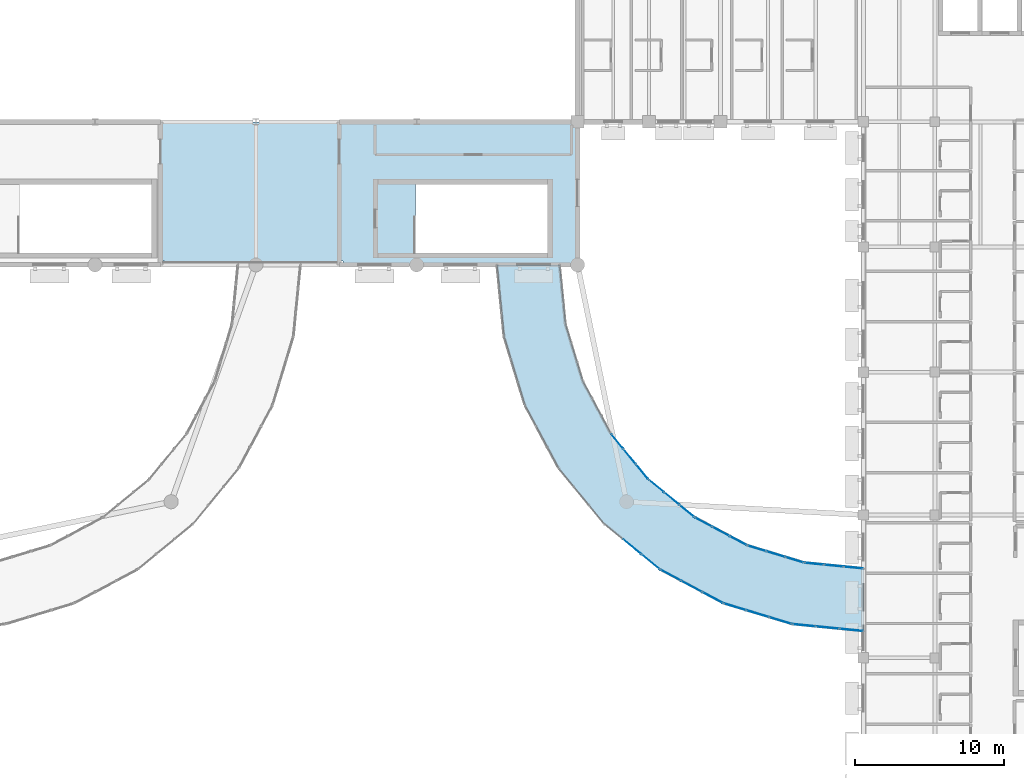
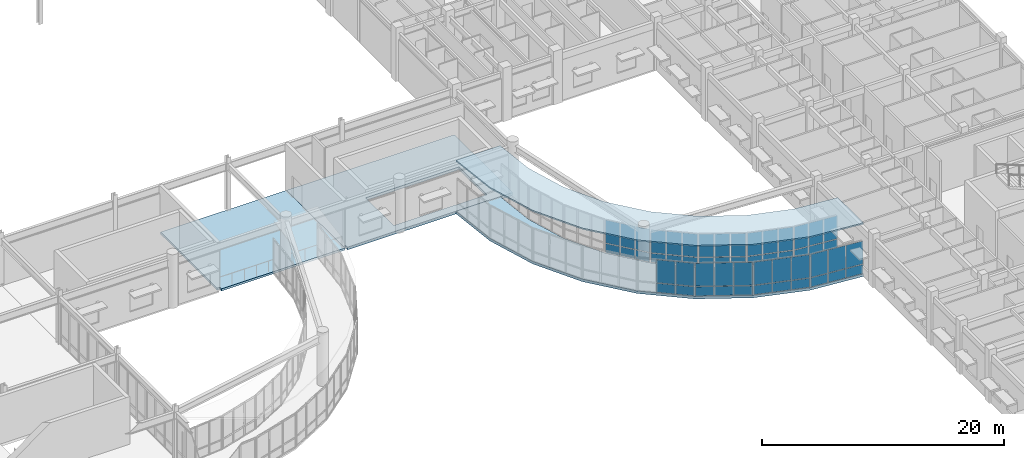
# One storey, part 39 of 68: 52 plates, 4 slabs, 10 elements without a shape of their own.
"""IFC4 building model written with IfcOpenShell, lengths in metres."""

from ifc_helpers import new_model, si_unit, direction, frame, origin, origin_2d, place, context, subcontext, project, spatial, polyline, rectangle, outline, extrude, material, layer, layer_set, type_object, element, aggregate, save


model = new_model("IFC4")

# Units and contexts
model_context = context("Model", 3, precision=1e-05, world=origin(), true_north=direction((0.0, 1.0)))
body_context = subcontext(model_context, "Body", "Model", "MODEL_VIEW")
ifc_project = project(units=[si_unit("LENGTHUNIT", "METRE"), si_unit("AREAUNIT", "SQUARE_METRE"), si_unit("VOLUMEUNIT", "CUBIC_METRE"), si_unit("PLANEANGLEUNIT", "RADIAN"), si_unit("MASSUNIT", "GRAM", prefix="KILO")], contexts=[model_context])

# Site, building, storey
site_placement = place(None, origin())
site = spatial("IfcSite", under=ifc_project, at=site_placement, CompositionType="ELEMENT")
building_placement = place(site_placement, origin())
building = spatial("IfcBuilding", under=site, at=building_placement, Name="Veldera Park Congress Hotel", CompositionType="ELEMENT")
storey_placement = place(building_placement, frame((0.0, 0.0, 10.800048828125)))
storey = spatial("IfcBuildingStorey", under=building, at=storey_placement, Name="L02", CompositionType="ELEMENT", Elevation=10.800048828125)

# Curtain wall, plates
ifc_material_1 = material(Name="Low-E Triple Insulating Glass Unit (SHGC 0.22)", Category="glass")
curtain_wall_type = type_object("IfcCurtainWallType", Name="CW-BRG", PredefinedType="NOTDEFINED", material=ifc_material_1)
curtain_wall_1_placement = place(storey_placement, origin())
curtain_wall_1 = element("IfcCurtainWall", 1, at=curtain_wall_1_placement, inside=storey, type_object=curtain_wall_type, Name="L02 Curtain Wall CW3-BRGE-L02-A04", PredefinedType="NOTDEFINED")
ifc_layer_1 = layer(ifc_material_1, 0.028076171875)
ifc_layer_set_1 = layer_set([ifc_layer_1], Name="Low-E Triple Insulating Glass Unit (SHGC 0.22)")
plate_type = type_object("IfcPlateType", Name="CWP-IGU28", PredefinedType="CURTAIN_PANEL", material=ifc_layer_set_1)
plate_1_placement = place(storey_placement, frame((45.26904296875, -1.5244140625, 0.06005859375), z_axis=(0.0, 0.0, 1.0), x_axis=(0.773002968666, -0.634402404183, 0.0)))
plate_1 = element("IfcPlate", 2, at=plate_1_placement, type_object=plate_type, Name="CW-BRG panel 2.1", PredefinedType="CURTAIN_PANEL", context=body_context, shape_type="SweptSolid", body=[
    extrude(rectangle(XDim=1.547607421875, YDim=0.028076171875, at=origin_2d()), origin(), (0.0, 0.0, 1.0), 0.909912109375),
])
plate_2_placement = place(storey_placement, frame((45.26904296875, -1.5244140625, 1.030029296875), z_axis=(0.0, 0.0, 1.0), x_axis=(0.773002968666, -0.634402404183, 0.0)))
plate_2 = element("IfcPlate", 3, at=plate_2_placement, type_object=plate_type, Name="CW-BRG panel 2.2", PredefinedType="CURTAIN_PANEL", context=body_context, shape_type="SweptSolid", body=[
    extrude(rectangle(XDim=1.547607421875, YDim=0.028076171875, at=origin_2d()), origin(), (0.0, 0.0, 1.0), 2.31005859375),
])
plate_3_placement = place(storey_placement, frame((46.5, -2.53466796875, 0.06005859375), z_axis=(0.0, 0.0, 1.0), x_axis=(0.773002968666, -0.634402404183, 0.0)))
plate_3 = element("IfcPlate", 4, at=plate_3_placement, type_object=plate_type, Name="CW-BRG panel 3.1", PredefinedType="CURTAIN_PANEL", context=body_context, shape_type="SweptSolid", body=[
    extrude(rectangle(XDim=1.517578125, YDim=0.028076171875, at=origin_2d()), origin(), (0.0, 0.0, 1.0), 0.909912109375),
])
plate_4_placement = place(storey_placement, frame((46.5, -2.53466796875, 1.030029296875), z_axis=(0.0, 0.0, 1.0), x_axis=(0.773002968666, -0.634402404183, 0.0)))
plate_4 = element("IfcPlate", 5, at=plate_4_placement, type_object=plate_type, Name="CW-BRG panel 3.2", PredefinedType="CURTAIN_PANEL", context=body_context, shape_type="SweptSolid", body=[
    extrude(rectangle(XDim=1.517578125, YDim=0.028076171875, at=origin_2d()), origin(), (0.0, 0.0, 1.0), 2.31005859375),
])
aggregate(curtain_wall_1, [plate_1, plate_2, plate_3, plate_4])

curtain_wall_2_placement = place(storey_placement, origin())
curtain_wall_2 = element("IfcCurtainWall", 6, at=curtain_wall_2_placement, inside=storey, type_object=curtain_wall_type, Name="L02 Curtain Wall CW3-BRGE-L02-A05", PredefinedType="NOTDEFINED")
plate_5_placement = place(storey_placement, frame((47.85498046875, -3.440185546875, 0.06005859375), z_axis=(0.0, 0.0, 1.0), x_axis=(0.881927804203, -0.471384501415, 0.0)))
plate_5 = element("IfcPlate", 7, at=plate_5_placement, type_object=plate_type, Name="CW-BRG panel 1.1", PredefinedType="CURTAIN_PANEL", context=body_context, shape_type="SweptSolid", body=[
    extrude(rectangle(XDim=1.517578125, YDim=0.028076171875, at=origin_2d()), origin(), (0.0, 0.0, 1.0), 0.909912109375),
])
plate_6_placement = place(storey_placement, frame((47.85498046875, -3.440185546875, 1.030029296875), z_axis=(0.0, 0.0, 1.0), x_axis=(0.881927804203, -0.471384501415, 0.0)))
plate_6 = element("IfcPlate", 8, at=plate_6_placement, type_object=plate_type, Name="CW-BRG panel 1.2", PredefinedType="CURTAIN_PANEL", context=body_context, shape_type="SweptSolid", body=[
    extrude(rectangle(XDim=1.517578125, YDim=0.028076171875, at=origin_2d()), origin(), (0.0, 0.0, 1.0), 2.31005859375),
])
plate_7_placement = place(storey_placement, frame((49.259521484375, -4.19091796875, 0.06005859375), z_axis=(0.0, 0.0, 1.0), x_axis=(0.881927804203, -0.471384501415, 0.0)))
plate_7 = element("IfcPlate", 9, at=plate_7_placement, type_object=plate_type, Name="CW-BRG panel 2.1", PredefinedType="CURTAIN_PANEL", context=body_context, shape_type="SweptSolid", body=[
    extrude(rectangle(XDim=1.54736328125, YDim=0.028076171875, at=origin_2d()), origin(), (0.0, 0.0, 1.0), 0.909912109375),
])
plate_8_placement = place(storey_placement, frame((49.259521484375, -4.19091796875, 1.030029296875), z_axis=(0.0, 0.0, 1.0), x_axis=(0.881927804203, -0.471384501415, 0.0)))
plate_8 = element("IfcPlate", 10, at=plate_8_placement, type_object=plate_type, Name="CW-BRG panel 2.2", PredefinedType="CURTAIN_PANEL", context=body_context, shape_type="SweptSolid", body=[
    extrude(rectangle(XDim=1.54736328125, YDim=0.028076171875, at=origin_2d()), origin(), (0.0, 0.0, 1.0), 2.31005859375),
])
plate_9_placement = place(storey_placement, frame((50.663818359375, -4.94140625, 0.06005859375), z_axis=(0.0, 0.0, 1.0), x_axis=(0.881927804203, -0.471384501415, 0.0)))
plate_9 = element("IfcPlate", 11, at=plate_9_placement, type_object=plate_type, Name="CW-BRG panel 3.1", PredefinedType="CURTAIN_PANEL", context=body_context, shape_type="SweptSolid", body=[
    extrude(rectangle(XDim=1.517578125, YDim=0.028076171875, at=origin_2d()), origin(), (0.0, 0.0, 1.0), 0.909912109375),
])
plate_10_placement = place(storey_placement, frame((50.663818359375, -4.94140625, 1.030029296875), z_axis=(0.0, 0.0, 1.0), x_axis=(0.881927804203, -0.471384501415, 0.0)))
plate_10 = element("IfcPlate", 12, at=plate_10_placement, type_object=plate_type, Name="CW-BRG panel 3.2", PredefinedType="CURTAIN_PANEL", context=body_context, shape_type="SweptSolid", body=[
    extrude(rectangle(XDim=1.517578125, YDim=0.028076171875, at=origin_2d()), origin(), (0.0, 0.0, 1.0), 2.31005859375),
])
aggregate(curtain_wall_2, [plate_5, plate_6, plate_7, plate_8, plate_9, plate_10])

curtain_wall_3_placement = place(storey_placement, origin())
curtain_wall_3 = element("IfcCurtainWall", 13, at=curtain_wall_3_placement, inside=storey, type_object=curtain_wall_type, Name="L02 Curtain Wall CW3-BRGE-L02-A06", PredefinedType="NOTDEFINED")
plate_11_placement = place(storey_placement, frame((52.16943359375, -5.565185546875, 0.06005859375), z_axis=(0.0, 0.0, 1.0), x_axis=(0.956939429957, -0.290287663177, 0.0)))
plate_11 = element("IfcPlate", 14, at=plate_11_placement, type_object=plate_type, Name="CW-BRG panel 1.1", PredefinedType="CURTAIN_PANEL", context=body_context, shape_type="SweptSolid", body=[
    extrude(rectangle(XDim=1.517578125, YDim=0.028076171875, at=origin_2d()), origin(), (0.0, 0.0, 1.0), 0.909912109375),
])
plate_12_placement = place(storey_placement, frame((52.16943359375, -5.565185546875, 1.030029296875), z_axis=(0.0, 0.0, 1.0), x_axis=(0.956939429957, -0.290287663177, 0.0)))
plate_12 = element("IfcPlate", 15, at=plate_12_placement, type_object=plate_type, Name="CW-BRG panel 1.2", PredefinedType="CURTAIN_PANEL", context=body_context, shape_type="SweptSolid", body=[
    extrude(rectangle(XDim=1.517578125, YDim=0.028076171875, at=origin_2d()), origin(), (0.0, 0.0, 1.0), 2.31005859375),
])
plate_13_placement = place(storey_placement, frame((53.693359375, -6.02734375, 0.06005859375), z_axis=(0.0, 0.0, 1.0), x_axis=(0.956939429957, -0.290287663177, 0.0)))
plate_13 = element("IfcPlate", 16, at=plate_13_placement, type_object=plate_type, Name="CW-BRG panel 2.1", PredefinedType="CURTAIN_PANEL", context=body_context, shape_type="SweptSolid", body=[
    extrude(rectangle(XDim=1.547607421875, YDim=0.028076171875, at=origin_2d()), origin(), (0.0, 0.0, 1.0), 0.909912109375),
])
plate_14_placement = place(storey_placement, frame((53.693359375, -6.02734375, 1.030029296875), z_axis=(0.0, 0.0, 1.0), x_axis=(0.956939429957, -0.290287663177, 0.0)))
plate_14 = element("IfcPlate", 17, at=plate_14_placement, type_object=plate_type, Name="CW-BRG panel 2.2", PredefinedType="CURTAIN_PANEL", context=body_context, shape_type="SweptSolid", body=[
    extrude(rectangle(XDim=1.547607421875, YDim=0.028076171875, at=origin_2d()), origin(), (0.0, 0.0, 1.0), 2.31005859375),
])
plate_15_placement = place(storey_placement, frame((55.21728515625, -6.48974609375, 0.06005859375), z_axis=(0.0, 0.0, 1.0), x_axis=(0.956939429957, -0.290287663177, 0.0)))
plate_15 = element("IfcPlate", 18, at=plate_15_placement, type_object=plate_type, Name="CW-BRG panel 3.1", PredefinedType="CURTAIN_PANEL", context=body_context, shape_type="SweptSolid", body=[
    extrude(rectangle(XDim=1.517578125, YDim=0.028076171875, at=origin_2d()), origin(), (0.0, 0.0, 1.0), 0.909912109375),
])
plate_16_placement = place(storey_placement, frame((55.21728515625, -6.48974609375, 1.030029296875), z_axis=(0.0, 0.0, 1.0), x_axis=(0.956939429957, -0.290287663177, 0.0)))
plate_16 = element("IfcPlate", 19, at=plate_16_placement, type_object=plate_type, Name="CW-BRG panel 3.2", PredefinedType="CURTAIN_PANEL", context=body_context, shape_type="SweptSolid", body=[
    extrude(rectangle(XDim=1.517578125, YDim=0.028076171875, at=origin_2d()), origin(), (0.0, 0.0, 1.0), 2.31005859375),
])
aggregate(curtain_wall_3, [plate_11, plate_12, plate_13, plate_14, plate_15, plate_16])

curtain_wall_4_placement = place(storey_placement, origin())
curtain_wall_4 = element("IfcCurtainWall", 20, at=curtain_wall_4_placement, inside=storey, type_object=curtain_wall_type, Name="L02 Curtain Wall CW3-BRGE-L02-A07", PredefinedType="NOTDEFINED")
plate_17_placement = place(storey_placement, frame((56.815673828125, -6.8076171875, 0.06005859375), z_axis=(0.0, 0.0, 1.0), x_axis=(0.995184320963, -0.098021259481, 0.0)))
plate_17 = element("IfcPlate", 21, at=plate_17_placement, type_object=plate_type, Name="CW-BRG panel 1.1", PredefinedType="CURTAIN_PANEL", context=body_context, shape_type="SweptSolid", body=[
    extrude(rectangle(XDim=1.517578125, YDim=0.028076171875, at=origin_2d()), origin(), (0.0, 0.0, 1.0), 0.909912109375),
])
plate_18_placement = place(storey_placement, frame((56.815673828125, -6.8076171875, 1.030029296875), z_axis=(0.0, 0.0, 1.0), x_axis=(0.995184320963, -0.098021259481, 0.0)))
plate_18 = element("IfcPlate", 22, at=plate_18_placement, type_object=plate_type, Name="CW-BRG panel 1.2", PredefinedType="CURTAIN_PANEL", context=body_context, shape_type="SweptSolid", body=[
    extrude(rectangle(XDim=1.517578125, YDim=0.028076171875, at=origin_2d()), origin(), (0.0, 0.0, 1.0), 2.31005859375),
])
plate_19_placement = place(storey_placement, frame((58.400390625, -6.963623046875, 0.06005859375), z_axis=(0.0, 0.0, 1.0), x_axis=(0.995184320963, -0.098021259481, 0.0)))
plate_19 = element("IfcPlate", 23, at=plate_19_placement, type_object=plate_type, Name="CW-BRG panel 2.1", PredefinedType="CURTAIN_PANEL", context=body_context, shape_type="SweptSolid", body=[
    extrude(rectangle(XDim=1.54736328125, YDim=0.028076171875, at=origin_2d()), origin(), (0.0, 0.0, 1.0), 0.909912109375),
])
plate_20_placement = place(storey_placement, frame((58.400390625, -6.963623046875, 1.030029296875), z_axis=(0.0, 0.0, 1.0), x_axis=(0.995184320963, -0.098021259481, 0.0)))
plate_20 = element("IfcPlate", 24, at=plate_20_placement, type_object=plate_type, Name="CW-BRG panel 2.2", PredefinedType="CURTAIN_PANEL", context=body_context, shape_type="SweptSolid", body=[
    extrude(rectangle(XDim=1.54736328125, YDim=0.028076171875, at=origin_2d()), origin(), (0.0, 0.0, 1.0), 2.31005859375),
])
plate_21_placement = place(storey_placement, frame((59.985107421875, -7.11962890625, 0.06005859375), z_axis=(0.0, 0.0, 1.0), x_axis=(0.995184320963, -0.098021259481, 0.0)))
plate_21 = element("IfcPlate", 25, at=plate_21_placement, type_object=plate_type, Name="CW-BRG panel 3.1", PredefinedType="CURTAIN_PANEL", context=body_context, shape_type="SweptSolid", body=[
    extrude(rectangle(XDim=1.517578125, YDim=0.028076171875, at=origin_2d()), origin(), (0.0, 0.0, 1.0), 0.909912109375),
])
plate_22_placement = place(storey_placement, frame((59.985107421875, -7.11962890625, 1.030029296875), z_axis=(0.0, 0.0, 1.0), x_axis=(0.995184320963, -0.098021259481, 0.0)))
plate_22 = element("IfcPlate", 26, at=plate_22_placement, type_object=plate_type, Name="CW-BRG panel 3.2", PredefinedType="CURTAIN_PANEL", context=body_context, shape_type="SweptSolid", body=[
    extrude(rectangle(XDim=1.517578125, YDim=0.028076171875, at=origin_2d()), origin(), (0.0, 0.0, 1.0), 2.31005859375),
])
aggregate(curtain_wall_4, [plate_17, plate_18, plate_19, plate_20, plate_21, plate_22])

curtain_wall_5_placement = place(storey_placement, origin())
curtain_wall_5 = element("IfcCurtainWall", 27, at=curtain_wall_5_placement, inside=storey, type_object=curtain_wall_type, Name="L02 Curtain Wall CW3-BRGE-L02-B09", PredefinedType="NOTDEFINED")
plate_23_placement = place(storey_placement, frame((60.121826171875, -2.93310546875, 0.06005859375), z_axis=(0.0, 0.0, 1.0), x_axis=(-0.99518414337, 0.098023062513, 0.0)))
plate_23 = element("IfcPlate", 28, at=plate_23_placement, type_object=plate_type, Name="CW-BRG panel 1.1", PredefinedType="CURTAIN_PANEL", context=body_context, shape_type="SweptSolid", body=[
    extrude(rectangle(XDim=1.242919921875, YDim=0.028076171875, at=origin_2d()), origin(), (0.0, 0.0, 1.0), 0.909912109375),
])
plate_24_placement = place(storey_placement, frame((60.121826171875, -2.93310546875, 1.030029296875), z_axis=(0.0, 0.0, 1.0), x_axis=(-0.99518414337, 0.098023062513, 0.0)))
plate_24 = element("IfcPlate", 29, at=plate_24_placement, type_object=plate_type, Name="CW-BRG panel 1.2", PredefinedType="CURTAIN_PANEL", context=body_context, shape_type="SweptSolid", body=[
    extrude(rectangle(XDim=1.242919921875, YDim=0.028076171875, at=origin_2d()), origin(), (0.0, 0.0, 1.0), 2.31005859375),
])
plate_25_placement = place(storey_placement, frame((58.81005859375, -2.803955078125, 0.06005859375), z_axis=(0.0, 0.0, 1.0), x_axis=(-0.99518414337, 0.098023062513, 0.0)))
plate_25 = element("IfcPlate", 30, at=plate_25_placement, type_object=plate_type, Name="CW-BRG panel 2.1", PredefinedType="CURTAIN_PANEL", context=body_context, shape_type="SweptSolid", body=[
    extrude(rectangle(XDim=1.27294921875, YDim=0.028076171875, at=origin_2d()), origin(), (0.0, 0.0, 1.0), 0.909912109375),
])
plate_26_placement = place(storey_placement, frame((58.81005859375, -2.803955078125, 1.030029296875), z_axis=(0.0, 0.0, 1.0), x_axis=(-0.99518414337, 0.098023062513, 0.0)))
plate_26 = element("IfcPlate", 31, at=plate_26_placement, type_object=plate_type, Name="CW-BRG panel 2.2", PredefinedType="CURTAIN_PANEL", context=body_context, shape_type="SweptSolid", body=[
    extrude(rectangle(XDim=1.27294921875, YDim=0.028076171875, at=origin_2d()), origin(), (0.0, 0.0, 1.0), 2.31005859375),
])
plate_27_placement = place(storey_placement, frame((57.49853515625, -2.6748046875, 0.06005859375), z_axis=(0.0, 0.0, 1.0), x_axis=(-0.99518414337, 0.098023062513, 0.0)))
plate_27 = element("IfcPlate", 32, at=plate_27_placement, type_object=plate_type, Name="CW-BRG panel 3.1", PredefinedType="CURTAIN_PANEL", context=body_context, shape_type="SweptSolid", body=[
    extrude(rectangle(XDim=1.242919921875, YDim=0.028076171875, at=origin_2d()), origin(), (0.0, 0.0, 1.0), 0.909912109375),
])
plate_28_placement = place(storey_placement, frame((57.49853515625, -2.6748046875, 1.030029296875), z_axis=(0.0, 0.0, 1.0), x_axis=(-0.99518414337, 0.098023062513, 0.0)))
plate_28 = element("IfcPlate", 33, at=plate_28_placement, type_object=plate_type, Name="CW-BRG panel 3.2", PredefinedType="CURTAIN_PANEL", context=body_context, shape_type="SweptSolid", body=[
    extrude(rectangle(XDim=1.242919921875, YDim=0.028076171875, at=origin_2d()), origin(), (0.0, 0.0, 1.0), 2.31005859375),
])
aggregate(curtain_wall_5, [plate_23, plate_24, plate_25, plate_26, plate_27, plate_28])

curtain_wall_6_placement = place(storey_placement, origin())
curtain_wall_6 = element("IfcCurtainWall", 34, at=curtain_wall_6_placement, inside=storey, type_object=curtain_wall_type, Name="L02 Curtain Wall CW3-BRGE-L02-B10", PredefinedType="NOTDEFINED")
plate_29_placement = place(storey_placement, frame((56.16796875, -2.41015625, 0.06005859375), z_axis=(0.0, 0.0, 1.0), x_axis=(-0.956938767513, 0.290289846929, 0.0)))
plate_29 = element("IfcPlate", 35, at=plate_29_placement, type_object=plate_type, Name="CW-BRG panel 1.1", PredefinedType="CURTAIN_PANEL", context=body_context, shape_type="SweptSolid", body=[
    extrude(rectangle(XDim=1.242919921875, YDim=0.028076171875, at=origin_2d()), origin(), (0.0, 0.0, 1.0), 0.909912109375),
])
plate_30_placement = place(storey_placement, frame((56.16796875, -2.41015625, 1.030029296875), z_axis=(0.0, 0.0, 1.0), x_axis=(-0.956938767513, 0.290289846929, 0.0)))
plate_30 = element("IfcPlate", 36, at=plate_30_placement, type_object=plate_type, Name="CW-BRG panel 1.2", PredefinedType="CURTAIN_PANEL", context=body_context, shape_type="SweptSolid", body=[
    extrude(rectangle(XDim=1.242919921875, YDim=0.028076171875, at=origin_2d()), origin(), (0.0, 0.0, 1.0), 2.31005859375),
])
plate_31_placement = place(storey_placement, frame((54.90673828125, -2.027587890625, 0.06005859375), z_axis=(0.0, 0.0, 1.0), x_axis=(-0.956938767513, 0.290289846929, 0.0)))
plate_31 = element("IfcPlate", 37, at=plate_31_placement, type_object=plate_type, Name="CW-BRG panel 2.1", PredefinedType="CURTAIN_PANEL", context=body_context, shape_type="SweptSolid", body=[
    extrude(rectangle(XDim=1.27294921875, YDim=0.028076171875, at=origin_2d()), origin(), (0.0, 0.0, 1.0), 0.909912109375),
])
plate_32_placement = place(storey_placement, frame((54.90673828125, -2.027587890625, 1.030029296875), z_axis=(0.0, 0.0, 1.0), x_axis=(-0.956938767513, 0.290289846929, 0.0)))
plate_32 = element("IfcPlate", 38, at=plate_32_placement, type_object=plate_type, Name="CW-BRG panel 2.2", PredefinedType="CURTAIN_PANEL", context=body_context, shape_type="SweptSolid", body=[
    extrude(rectangle(XDim=1.27294921875, YDim=0.028076171875, at=origin_2d()), origin(), (0.0, 0.0, 1.0), 2.31005859375),
])
plate_33_placement = place(storey_placement, frame((53.6455078125, -1.64501953125, 0.06005859375), z_axis=(0.0, 0.0, 1.0), x_axis=(-0.956938767513, 0.290289846929, 0.0)))
plate_33 = element("IfcPlate", 39, at=plate_33_placement, type_object=plate_type, Name="CW-BRG panel 3.1", PredefinedType="CURTAIN_PANEL", context=body_context, shape_type="SweptSolid", body=[
    extrude(rectangle(XDim=1.242919921875, YDim=0.028076171875, at=origin_2d()), origin(), (0.0, 0.0, 1.0), 0.909912109375),
])
plate_34_placement = place(storey_placement, frame((53.6455078125, -1.64501953125, 1.030029296875), z_axis=(0.0, 0.0, 1.0), x_axis=(-0.956938767513, 0.290289846929, 0.0)))
plate_34 = element("IfcPlate", 40, at=plate_34_placement, type_object=plate_type, Name="CW-BRG panel 3.2", PredefinedType="CURTAIN_PANEL", context=body_context, shape_type="SweptSolid", body=[
    extrude(rectangle(XDim=1.242919921875, YDim=0.028076171875, at=origin_2d()), origin(), (0.0, 0.0, 1.0), 2.31005859375),
])
aggregate(curtain_wall_6, [plate_29, plate_30, plate_31, plate_32, plate_33, plate_34])

curtain_wall_7_placement = place(storey_placement, origin())
curtain_wall_7 = element("IfcCurtainWall", 41, at=curtain_wall_7_placement, inside=storey, type_object=curtain_wall_type, Name="L02 Curtain Wall CW3-BRGE-L02-B11", PredefinedType="NOTDEFINED")
plate_35_placement = place(storey_placement, frame((52.392333984375, -1.125732421875, 0.06005859375), z_axis=(0.0, 0.0, 1.0), x_axis=(-0.881928263239, 0.471383642588, 0.0)))
plate_35 = element("IfcPlate", 42, at=plate_35_placement, type_object=plate_type, Name="CW-BRG panel 1.1", PredefinedType="CURTAIN_PANEL", context=body_context, shape_type="SweptSolid", body=[
    extrude(rectangle(XDim=1.242919921875, YDim=0.028076171875, at=origin_2d()), origin(), (0.0, 0.0, 1.0), 0.909912109375),
])
plate_36_placement = place(storey_placement, frame((52.392333984375, -1.125732421875, 1.030029296875), z_axis=(0.0, 0.0, 1.0), x_axis=(-0.881928263239, 0.471383642588, 0.0)))
plate_36 = element("IfcPlate", 43, at=plate_36_placement, type_object=plate_type, Name="CW-BRG panel 1.2", PredefinedType="CURTAIN_PANEL", context=body_context, shape_type="SweptSolid", body=[
    extrude(rectangle(XDim=1.242919921875, YDim=0.028076171875, at=origin_2d()), origin(), (0.0, 0.0, 1.0), 2.31005859375),
])
plate_37_placement = place(storey_placement, frame((51.229736328125, -0.504638671875, 0.06005859375), z_axis=(0.0, 0.0, 1.0), x_axis=(-0.881928263239, 0.471383642588, 0.0)))
plate_37 = element("IfcPlate", 44, at=plate_37_placement, type_object=plate_type, Name="CW-BRG panel 2.1", PredefinedType="CURTAIN_PANEL", context=body_context, shape_type="SweptSolid", body=[
    extrude(rectangle(XDim=1.27294921875, YDim=0.028076171875, at=origin_2d()), origin(), (0.0, 0.0, 1.0), 0.909912109375),
])
plate_38_placement = place(storey_placement, frame((51.229736328125, -0.504638671875, 1.030029296875), z_axis=(0.0, 0.0, 1.0), x_axis=(-0.881928263239, 0.471383642588, 0.0)))
plate_38 = element("IfcPlate", 45, at=plate_38_placement, type_object=plate_type, Name="CW-BRG panel 2.2", PredefinedType="CURTAIN_PANEL", context=body_context, shape_type="SweptSolid", body=[
    extrude(rectangle(XDim=1.27294921875, YDim=0.028076171875, at=origin_2d()), origin(), (0.0, 0.0, 1.0), 2.31005859375),
])
plate_39_placement = place(storey_placement, frame((50.0673828125, 0.11669921875, 0.06005859375), z_axis=(0.0, 0.0, 1.0), x_axis=(-0.881928263239, 0.471383642588, 0.0)))
plate_39 = element("IfcPlate", 46, at=plate_39_placement, type_object=plate_type, Name="CW-BRG panel 3.1", PredefinedType="CURTAIN_PANEL", context=body_context, shape_type="SweptSolid", body=[
    extrude(rectangle(XDim=1.242919921875, YDim=0.028076171875, at=origin_2d()), origin(), (0.0, 0.0, 1.0), 0.909912109375),
])
plate_40_placement = place(storey_placement, frame((50.0673828125, 0.11669921875, 1.030029296875), z_axis=(0.0, 0.0, 1.0), x_axis=(-0.881928263239, 0.471383642588, 0.0)))
plate_40 = element("IfcPlate", 47, at=plate_40_placement, type_object=plate_type, Name="CW-BRG panel 3.2", PredefinedType="CURTAIN_PANEL", context=body_context, shape_type="SweptSolid", body=[
    extrude(rectangle(XDim=1.242919921875, YDim=0.028076171875, at=origin_2d()), origin(), (0.0, 0.0, 1.0), 2.31005859375),
])
aggregate(curtain_wall_7, [plate_35, plate_36, plate_37, plate_38, plate_39, plate_40])

curtain_wall_8_placement = place(storey_placement, origin())
curtain_wall_8 = element("IfcCurtainWall", 48, at=curtain_wall_8_placement, inside=storey, type_object=curtain_wall_type, Name="L02 Curtain Wall CW3-BRGE-L02-B12", PredefinedType="NOTDEFINED")
plate_41_placement = place(storey_placement, frame((48.939453125, 0.870361328125, 0.06005859375), z_axis=(0.0, 0.0, 1.0), x_axis=(-0.773016144823, 0.634386349036, 0.0)))
plate_41 = element("IfcPlate", 49, at=plate_41_placement, type_object=plate_type, Name="CW-BRG panel 1.1", PredefinedType="CURTAIN_PANEL", context=body_context, shape_type="SweptSolid", body=[
    extrude(rectangle(XDim=1.2431640625, YDim=0.028076171875, at=origin_2d()), origin(), (0.0, 0.0, 1.0), 0.909912109375),
])
plate_42_placement = place(storey_placement, frame((48.939453125, 0.870361328125, 1.030029296875), z_axis=(0.0, 0.0, 1.0), x_axis=(-0.773016144823, 0.634386349036, 0.0)))
plate_42 = element("IfcPlate", 50, at=plate_42_placement, type_object=plate_type, Name="CW-BRG panel 1.2", PredefinedType="CURTAIN_PANEL", context=body_context, shape_type="SweptSolid", body=[
    extrude(rectangle(XDim=1.2431640625, YDim=0.028076171875, at=origin_2d()), origin(), (0.0, 0.0, 1.0), 2.31005859375),
])
plate_43_placement = place(storey_placement, frame((47.920654296875, 1.70654296875, 0.06005859375), z_axis=(0.0, 0.0, 1.0), x_axis=(-0.773016144823, 0.634386349036, 0.0)))
plate_43 = element("IfcPlate", 51, at=plate_43_placement, type_object=plate_type, Name="CW-BRG panel 2.1", PredefinedType="CURTAIN_PANEL", context=body_context, shape_type="SweptSolid", body=[
    extrude(rectangle(XDim=1.27294921875, YDim=0.028076171875, at=origin_2d()), origin(), (0.0, 0.0, 1.0), 0.909912109375),
])
plate_44_placement = place(storey_placement, frame((47.920654296875, 1.70654296875, 1.030029296875), z_axis=(0.0, 0.0, 1.0), x_axis=(-0.773016144823, 0.634386349036, 0.0)))
plate_44 = element("IfcPlate", 52, at=plate_44_placement, type_object=plate_type, Name="CW-BRG panel 2.2", PredefinedType="CURTAIN_PANEL", context=body_context, shape_type="SweptSolid", body=[
    extrude(rectangle(XDim=1.27294921875, YDim=0.028076171875, at=origin_2d()), origin(), (0.0, 0.0, 1.0), 2.31005859375),
])
plate_45_placement = place(storey_placement, frame((46.90185546875, 2.542724609375, 0.06005859375), z_axis=(0.0, 0.0, 1.0), x_axis=(-0.773016144823, 0.634386349036, 0.0)))
plate_45 = element("IfcPlate", 53, at=plate_45_placement, type_object=plate_type, Name="CW-BRG panel 3.1", PredefinedType="CURTAIN_PANEL", context=body_context, shape_type="SweptSolid", body=[
    extrude(rectangle(XDim=1.2431640625, YDim=0.028076171875, at=origin_2d()), origin(), (0.0, 0.0, 1.0), 0.909912109375),
])
plate_46_placement = place(storey_placement, frame((46.90185546875, 2.542724609375, 1.030029296875), z_axis=(0.0, 0.0, 1.0), x_axis=(-0.773016144823, 0.634386349036, 0.0)))
plate_46 = element("IfcPlate", 54, at=plate_46_placement, type_object=plate_type, Name="CW-BRG panel 3.2", PredefinedType="CURTAIN_PANEL", context=body_context, shape_type="SweptSolid", body=[
    extrude(rectangle(XDim=1.2431640625, YDim=0.028076171875, at=origin_2d()), origin(), (0.0, 0.0, 1.0), 2.31005859375),
])
aggregate(curtain_wall_8, [plate_41, plate_42, plate_43, plate_44, plate_45, plate_46])

curtain_wall_9_placement = place(storey_placement, origin())
curtain_wall_9 = element("IfcCurtainWall", 55, at=curtain_wall_9_placement, inside=storey, type_object=curtain_wall_type, Name="L02 Curtain Wall CW3-BRGE-L02-B13", PredefinedType="NOTDEFINED")
plate_47_placement = place(storey_placement, frame((45.942626953125, 3.501708984375, 0.06005859375), z_axis=(0.0, 0.0, 1.0), x_axis=(-0.634386349036, 0.773016144823, 0.0)))
plate_47 = element("IfcPlate", 56, at=plate_47_placement, type_object=plate_type, Name="CW-BRG panel 1.1", PredefinedType="CURTAIN_PANEL", context=body_context, shape_type="SweptSolid", body=[
    extrude(rectangle(XDim=1.2431640625, YDim=0.028076171875, at=origin_2d()), origin(), (0.0, 0.0, 1.0), 0.909912109375),
])
plate_48_placement = place(storey_placement, frame((45.942626953125, 3.501708984375, 1.030029296875), z_axis=(0.0, 0.0, 1.0), x_axis=(-0.634386349036, 0.773016144823, 0.0)))
plate_48 = element("IfcPlate", 57, at=plate_48_placement, type_object=plate_type, Name="CW-BRG panel 1.2", PredefinedType="CURTAIN_PANEL", context=body_context, shape_type="SweptSolid", body=[
    extrude(rectangle(XDim=1.2431640625, YDim=0.028076171875, at=origin_2d()), origin(), (0.0, 0.0, 1.0), 2.31005859375),
])
plate_49_placement = place(storey_placement, frame((45.1064453125, 4.520751953125, 0.06005859375), z_axis=(0.0, 0.0, 1.0), x_axis=(-0.634386349036, 0.773016144823, 0.0)))
plate_49 = element("IfcPlate", 58, at=plate_49_placement, type_object=plate_type, Name="CW-BRG panel 2.1", PredefinedType="CURTAIN_PANEL", context=body_context, shape_type="SweptSolid", body=[
    extrude(rectangle(XDim=1.27294921875, YDim=0.028076171875, at=origin_2d()), origin(), (0.0, 0.0, 1.0), 0.909912109375),
])
plate_50_placement = place(storey_placement, frame((45.1064453125, 4.520751953125, 1.030029296875), z_axis=(0.0, 0.0, 1.0), x_axis=(-0.634386349036, 0.773016144823, 0.0)))
plate_50 = element("IfcPlate", 59, at=plate_50_placement, type_object=plate_type, Name="CW-BRG panel 2.2", PredefinedType="CURTAIN_PANEL", context=body_context, shape_type="SweptSolid", body=[
    extrude(rectangle(XDim=1.27294921875, YDim=0.028076171875, at=origin_2d()), origin(), (0.0, 0.0, 1.0), 2.31005859375),
])
plate_51_placement = place(storey_placement, frame((44.270263671875, 5.53955078125, 0.06005859375), z_axis=(0.0, 0.0, 1.0), x_axis=(-0.634386349036, 0.773016144823, 0.0)))
plate_51 = element("IfcPlate", 60, at=plate_51_placement, type_object=plate_type, Name="CW-BRG panel 3.1", PredefinedType="CURTAIN_PANEL", context=body_context, shape_type="SweptSolid", body=[
    extrude(rectangle(XDim=1.2431640625, YDim=0.028076171875, at=origin_2d()), origin(), (0.0, 0.0, 1.0), 0.909912109375),
])
plate_52_placement = place(storey_placement, frame((44.270263671875, 5.53955078125, 1.030029296875), z_axis=(0.0, 0.0, 1.0), x_axis=(-0.634386349036, 0.773016144823, 0.0)))
plate_52 = element("IfcPlate", 61, at=plate_52_placement, type_object=plate_type, Name="CW-BRG panel 3.2", PredefinedType="CURTAIN_PANEL", context=body_context, shape_type="SweptSolid", body=[
    extrude(rectangle(XDim=1.2431640625, YDim=0.028076171875, at=origin_2d()), origin(), (0.0, 0.0, 1.0), 2.31005859375),
])
aggregate(curtain_wall_9, [plate_47, plate_48, plate_49, plate_50, plate_51, plate_52])

# Roof, slab
ifc_material_2 = material(Name="Cross-laminated timber CLT V2M1.1", Category="wood")
roof_type = type_object("IfcRoofType", Name="ROOF-SHD", PredefinedType="SHED_ROOF", material=ifc_material_2)
roof_placement = place(storey_placement, origin())
roof = element("IfcRoof", 62, at=roof_placement, inside=storey, type_object=roof_type, Name="East Glazed Link Bridge Canopy Roof", PredefinedType="SHED_ROOF")
ifc_layer_2 = layer(ifc_material_2, 0.139892578125)
ifc_layer_set_2 = layer_set([ifc_layer_2], Name="Cross-laminated timber CLT V2M1.1")
slab_type_1 = type_object("IfcSlabType", Name="RF-CAN140", PredefinedType="ROOF", material=ifc_layer_set_2)
slab_1_placement = place(storey_placement, frame((0.0, 0.0, 5.0)))
slab_1 = element("IfcSlab", 63, at=slab_1_placement, type_object=slab_type_1, Name="East Link Bridge Roof Deck", PredefinedType="ROOF", context=body_context, shape_type="SweptSolid", body=[
    extrude(outline(polyline([(36.199951171875, 17.39990234375), (36.672607421875, 12.600830078125), (38.072509765625, 7.986083984375), (40.345703125, 3.73291015625), (43.4052734375, 0.005126953125), (47.133056640625, -3.05419921875), (51.385986328125, -5.327392578125), (56.000732421875, -6.727294921875), (60.800048828125, -7.199951171875), (60.800048828125, -3.0), (56.8203125, -2.60791015625), (52.993408203125, -1.447021484375), (49.46630859375, 0.43798828125), (46.375, 2.97509765625), (43.837890625, 6.06640625), (41.952880859375, 9.59326171875), (40.7919921875, 13.420166015625), (40.39990234375, 17.39990234375), (36.199951171875, 17.39990234375)])), origin(), (0.0, 0.0, 1.0), 0.139892578125),
])
aggregate(roof, [slab_1])

# Slabs
ifc_material_3 = material(Name="Concrete f'c 40 MPa (5,800 psi)", Category="concrete")
ifc_layer_3 = layer(ifc_material_3, 0.2548828125)
ifc_layer_set_3 = layer_set([ifc_layer_3], Name="Concrete f'c 40 MPa (5,800 psi)")
slab_type_2 = type_object("IfcSlabType", Name="SLB-BRG255", PredefinedType="FLOOR", material=ifc_layer_set_3)
slab_2_placement = place(storey_placement, frame((0.0, 0.0, -0.255126953125)))
element("IfcSlab", 64, at=slab_2_placement, inside=storey, type_object=slab_type_2, Name="L02 East Glazed Link Bridge Deck SLB-L02-BRGE", PredefinedType="FLOOR", context=body_context, shape_type="SweptSolid", body=[
    extrude(outline(polyline([(36.199951171875, 17.39990234375), (36.672607421875, 12.600830078125), (38.072509765625, 7.986083984375), (40.345703125, 3.73291015625), (43.4052734375, 0.005126953125), (47.133056640625, -3.05419921875), (51.385986328125, -5.327392578125), (56.000732421875, -6.727294921875), (60.800048828125, -7.199951171875), (60.800048828125, -3.0), (56.8203125, -2.60791015625), (52.993408203125, -1.447021484375), (49.46630859375, 0.43798828125), (46.375, 2.97509765625), (43.837890625, 6.06640625), (41.952880859375, 9.59326171875), (40.7919921875, 13.420166015625), (40.39990234375, 17.39990234375), (36.199951171875, 17.39990234375)])), origin(), (0.0, 0.0, 1.0), 0.255126953125),
])
ifc_layer_4 = layer(ifc_material_3, 0.27001953125)
ifc_layer_set_4 = layer_set([ifc_layer_4], Name="Concrete f'c 40 MPa (5,800 psi)")
slab_type_3 = type_object("IfcSlabType", Name="SLB-RC270", PredefinedType="FLOOR", material=ifc_layer_set_4)
slab_3_placement = place(storey_placement, frame((0.0, 0.0, -0.27001953125)))
element("IfcSlab", 65, at=slab_3_placement, inside=storey, type_object=slab_type_3, Name="L02 Floor Slab SLB-L02-V2E", PredefinedType="FLOOR", context=body_context, shape_type="SweptSolid", body=[
    extrude(outline(polyline([(25.60009765625, 17.659912109375), (25.860107421875, 17.659912109375), (25.860107421875, 17.39990234375), (41.60009765625, 17.39990234375), (41.60009765625, 27.0), (25.60009765625, 27.0), (25.60009765625, 17.659912109375)]), holes=[polyline([(30.715087890625, 18.199951171875), (39.60009765625, 18.199951171875), (39.60009765625, 22.800048828125), (30.715087890625, 22.800048828125), (30.715087890625, 18.199951171875)])]), origin(), (0.0, 0.0, 1.0), 0.27001953125),
])
ifc_layer_5 = layer(ifc_material_3, 0.2099609375)
ifc_layer_set_5 = layer_set([ifc_layer_5], Name="Concrete f'c 40 MPa (5,800 psi)")
slab_type_4 = type_object("IfcSlabType", Name="SLB-TER210", PredefinedType="FLOOR", material=ifc_layer_set_5)
slab_4_placement = place(storey_placement, frame((0.0, 0.0, -0.2099609375)))
element("IfcSlab", 66, at=slab_4_placement, inside=storey, type_object=slab_type_4, Name="L02 Ballroom Botanical Terrace SLB-L02-TER-V2", PredefinedType="FLOOR", context=body_context, shape_type="SweptSolid", body=[
    extrude(outline(polyline([(13.60009765625, 17.659912109375), (13.860107421875, 17.659912109375), (13.860107421875, 17.39990234375), (25.60009765625, 17.39990234375), (25.60009765625, 27.0), (13.60009765625, 27.0), (13.60009765625, 17.659912109375)])), origin(), (0.0, 0.0, 1.0), 0.2099609375),
])

save(model, "model.ifc")
